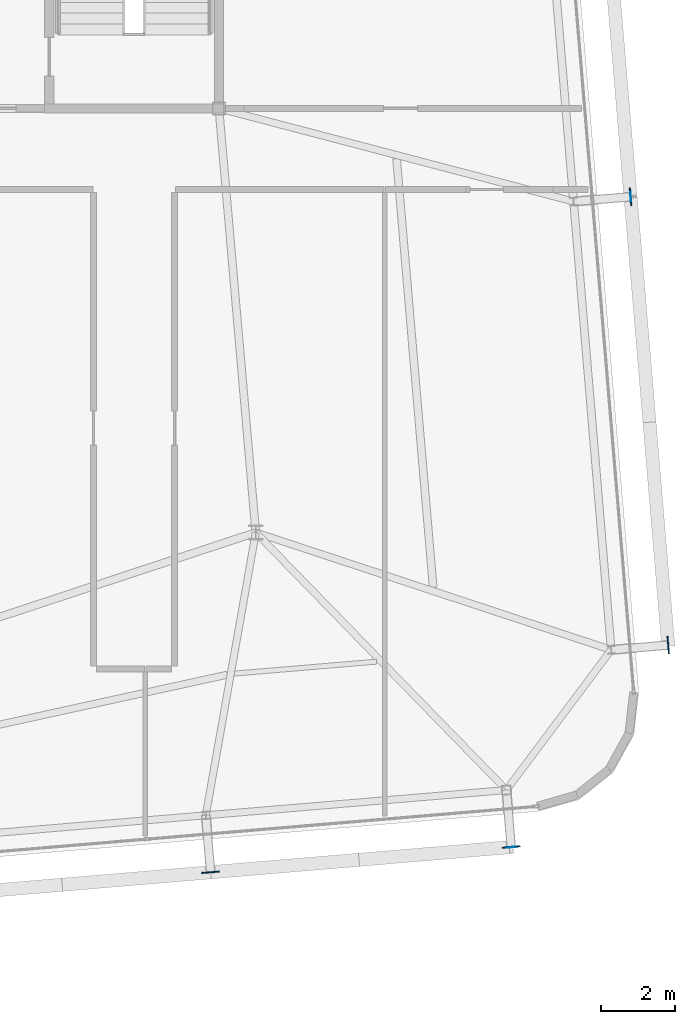
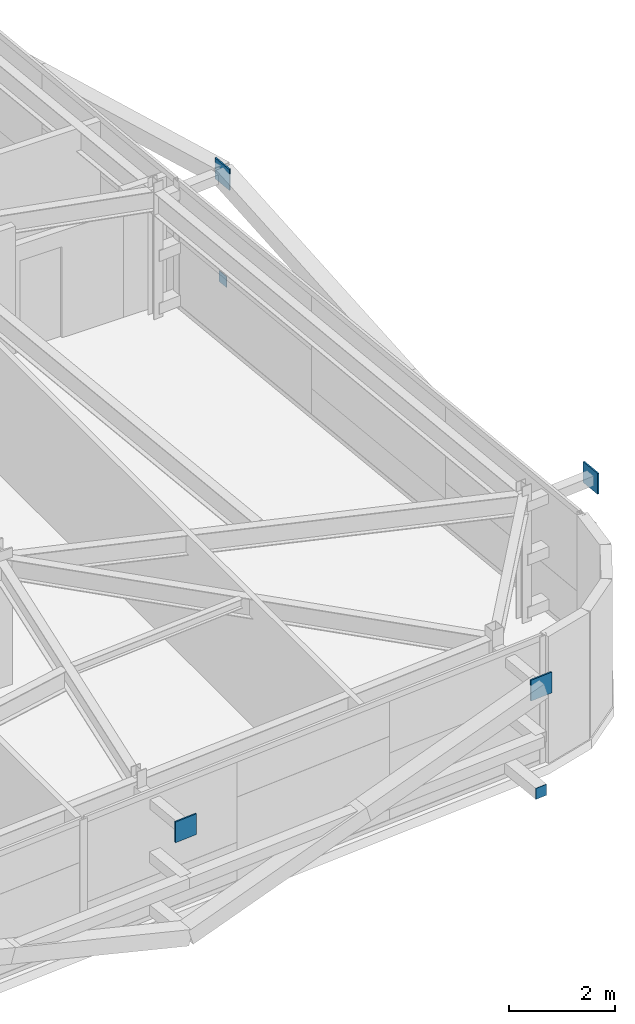
# One storey, part 30 of 37: 6 plates.
"""IFC4 building model written with IfcOpenShell, lengths in metres."""

from ifc_helpers import new_model, si_unit, direction, frame, origin, origin_2d, place, context, subcontext, project, spatial, rectangle, extrude, source, transform, mapped, material, layer, layer_set, type_object, element, save


model = new_model("IFC4")

# Units and contexts
model_context = context("Model", 3, precision=1e-05, world=origin(), true_north=direction((0.0, 1.0)))
body_context = subcontext(model_context, "Body", "Model", "MODEL_VIEW")
ifc_project = project(units=[si_unit("LENGTHUNIT", "METRE"), si_unit("AREAUNIT", "SQUARE_METRE"), si_unit("VOLUMEUNIT", "CUBIC_METRE"), si_unit("PLANEANGLEUNIT", "RADIAN"), si_unit("MASSUNIT", "GRAM", prefix="KILO")], contexts=[model_context])

# Site, building, storey
site_placement = place(None, origin())
site = spatial("IfcSite", under=ifc_project, at=site_placement, CompositionType="ELEMENT")
building_placement = place(site_placement, origin())
building = spatial("IfcBuilding", under=site, at=building_placement, Name="Taldren Reach Tower", CompositionType="ELEMENT")
storey_placement = place(building_placement, frame((0.0, 0.0, 172.550048828125)))
storey = spatial("IfcBuildingStorey", under=building, at=storey_placement, Name="L52", CompositionType="ELEMENT", Elevation=172.550048828125)

# Plates
ifc_material_1 = material(Name="Steel Gr 350 (C350L0)", Category="steel")
ifc_layer_1 = layer(ifc_material_1, 0.011962890625)
ifc_layer_set_1 = layer_set([ifc_layer_1], Name="Steel Gr 350 (C350L0)")
plate_type_1 = type_object("IfcPlateType", Name="PL-CAP-250", PredefinedType="SHEET", material=ifc_layer_set_1)
shared_shape_1 = source(origin(), body_context, "Body", "SweptSolid", [
    extrude(rectangle(XDim=0.25, YDim=0.011962890625, at=origin_2d()), origin(), (0.0, 0.0, 1.0), 0.25),
])
plate_1_placement = place(storey_placement, frame((58.926513671875, 3.9658203125, 0.094970703125), z_axis=(0.0, 0.0, 1.0), x_axis=(0.99649285925, 0.083677843332, 0.0)))
element("IfcPlate", 1, at=plate_1_placement, inside=storey, type_object=plate_type_1, Name="Tie strut end cap plate B4-S6 L52", PredefinedType="SHEET", context=body_context, shape_type="MappedRepresentation", body=[
    mapped(shared_shape_1, transform((0.0, 0.0, 0.0), scale=1.0)),
])
shared_shape_2 = source(origin(), body_context, "Body", "SweptSolid", [
    extrude(rectangle(XDim=0.011962890625, YDim=0.25, at=origin_2d()), origin(), (0.0, 0.0, 1.0), 0.25),
])
plate_2_placement = place(storey_placement, frame((62.167724609375, 21.60498046875, 0.094970703125), z_axis=(0.0, 0.0, 1.0), x_axis=(0.99649285925, 0.083677843332, 0.0)))
element("IfcPlate", 2, at=plate_2_placement, inside=storey, type_object=plate_type_1, Name="Tie strut end cap plate B4-E2 L52", PredefinedType="SHEET", context=body_context, shape_type="MappedRepresentation", body=[
    mapped(shared_shape_2, transform((0.0, 0.0, 0.0), scale=1.0)),
])
ifc_material_2 = material(Name="Steel Gr 450 (C450L0)", Category="steel")
ifc_layer_2 = layer(ifc_material_2, 0.031982421875)
ifc_layer_set_2 = layer_set([ifc_layer_2], Name="Steel Gr 450 (C450L0)")
plate_type_2 = type_object("IfcPlateType", Name="PL-GUSSET-32", PredefinedType="SHEET", material=ifc_layer_set_2)
shared_shape_3 = source(origin(), body_context, "Body", "SweptSolid", [
    extrude(rectangle(XDim=0.47998046875, YDim=0.031982421875, at=origin_2d()), origin(), (0.0, 0.0, 1.0), 0.47998046875),
])
for number, where, z_axis, x_axis, name in (
    (3, (50.774658203125, 3.287353515625, 2.409912109375), (0.0, 0.0, 1.0), (0.99649285925, 0.083677843332, 0.0), "Exoskeleton star-node gusset plate B4-S5 L52"),
    (4, (58.926025390625, 3.971923828125, 2.409912109375), (0.0, 0.0, 1.0), (0.99649285925, 0.083677843332, 0.0), "Exoskeleton star-node gusset plate B4-S6 L52"),
    (5, (63.1826171875, 9.447265625, 2.409912109375), (0.0, 0.0, 1.0), (-0.083677843332, 0.99649285925, 0.0), "Exoskeleton star-node gusset plate B4-E1 L52"),
    (6, (62.161865234375, 21.6044921875, 2.409912109375), (0.0, 0.0, 1.0), (-0.083677843332, 0.99649285925, 0.0), "Exoskeleton star-node gusset plate B4-E2 L52"),
):
    element("IfcPlate", number, at=place(storey_placement, frame(where, z_axis=z_axis, x_axis=x_axis)), inside=storey, type_object=plate_type_2, Name=name, PredefinedType="SHEET", context=body_context, shape_type="MappedRepresentation", body=[
        mapped(shared_shape_3, transform((0.0, 0.0, 0.0), scale=1.0)),
    ])

save(model, "model.ifc")
